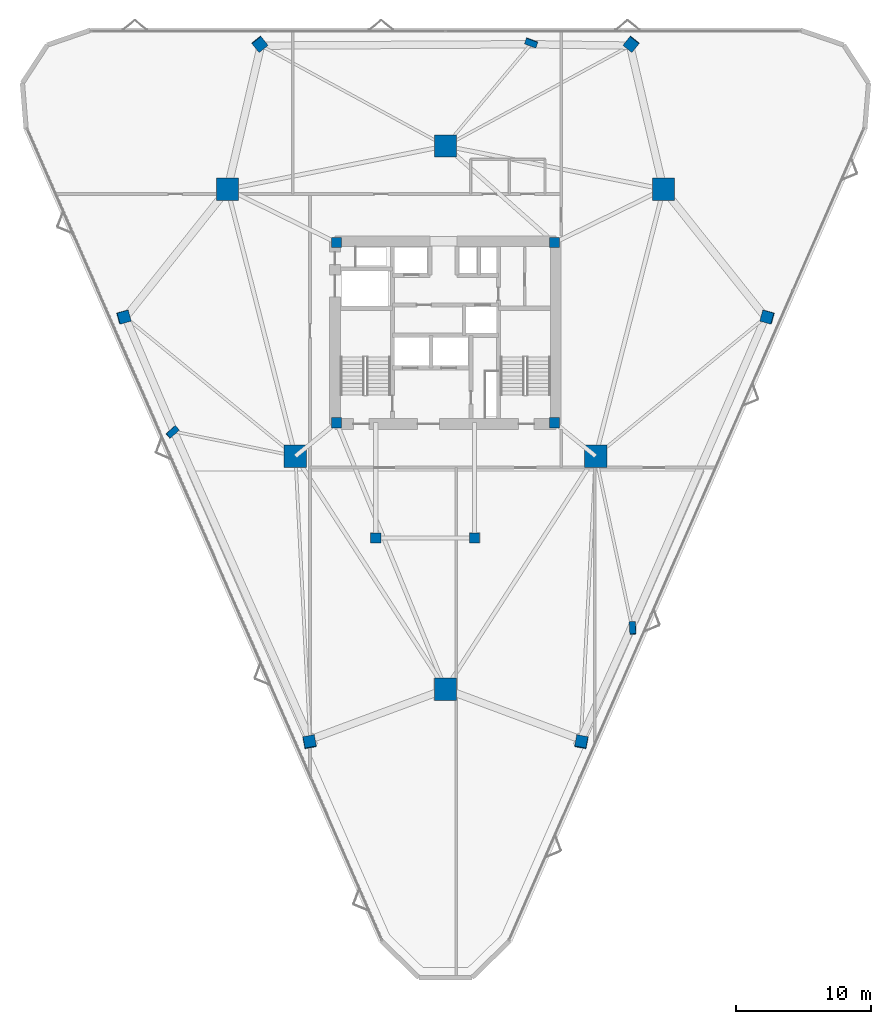
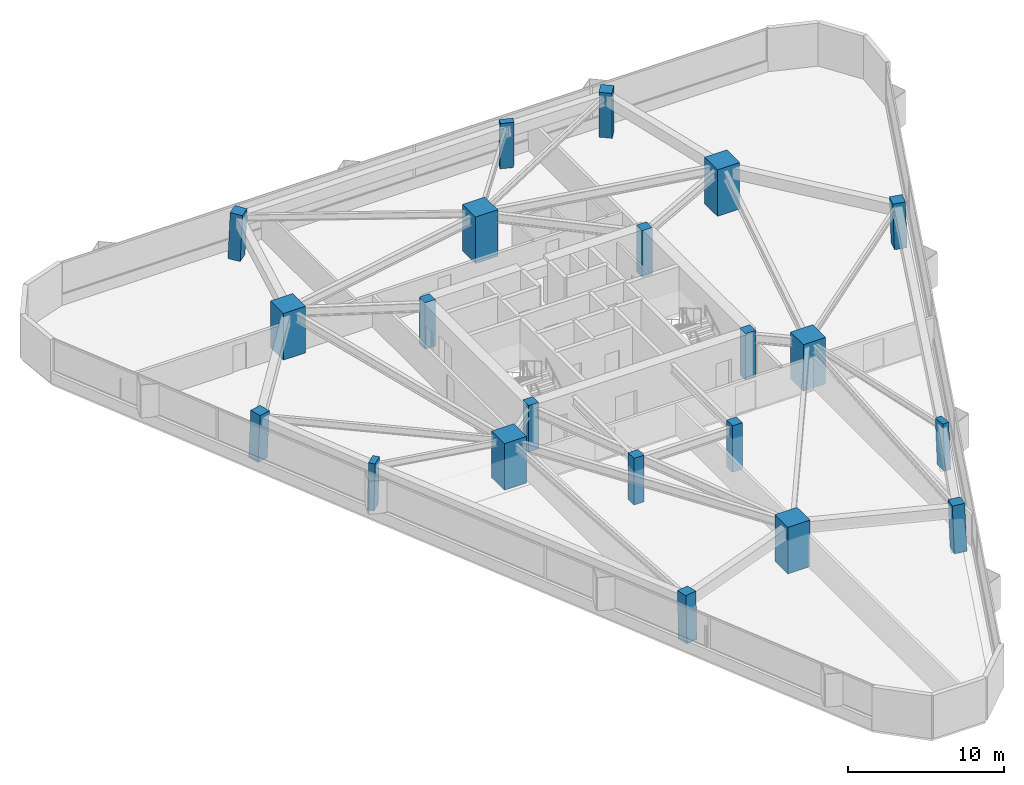
# One storey, part 1 of 18: 21 columns.
"""IFC4 building model written with IfcOpenShell, lengths in metres."""

from ifc_helpers import new_model, si_unit, direction, frame, origin, origin_2d, place, context, subcontext, project, spatial, rectangle, extrude, material, material_profile, profile_set, type_object, element, save


model = new_model("IFC4")

# Units and contexts
model_context = context("Model", 3, precision=1e-05, world=origin(), true_north=direction((0.0, 1.0)))
body_context = subcontext(model_context, "Body", "Model", "MODEL_VIEW")
ifc_project = project(units=[si_unit("LENGTHUNIT", "METRE"), si_unit("AREAUNIT", "SQUARE_METRE"), si_unit("VOLUMEUNIT", "CUBIC_METRE"), si_unit("PLANEANGLEUNIT", "RADIAN"), si_unit("MASSUNIT", "GRAM", prefix="KILO")], contexts=[model_context])

# Site, building, storey
site_placement = place(None, origin())
site = spatial("IfcSite", under=ifc_project, at=site_placement, CompositionType="ELEMENT")
building_placement = place(site_placement, origin())
building = spatial("IfcBuilding", under=site, at=building_placement, Name="Talyreon Biosciences Tower", CompositionType="ELEMENT")
storey_placement = place(building_placement, frame((0.0, 0.0, 89.60009765625)))
storey = spatial("IfcBuildingStorey", under=building, at=storey_placement, Name="L23", CompositionType="ELEMENT", Elevation=89.60009765625)

# Columns
ifc_material_1 = material(Name="Precast concrete C45/55", Category="concrete")
ifc_material_profile_1 = material_profile(ifc_material_1, rectangle(XDim=0.89990234375, YDim=0.449951171875, at=origin_2d()), Name="RC 900x450")
ifc_profile_set_1 = profile_set([ifc_material_profile_1], Name="Precast concrete C45/55")
column_type_1 = type_object("IfcColumnType", Name="FacadePilaster_900x450", PredefinedType="PILASTER", material=ifc_profile_set_1)
column_1_placement = place(storey_placement, frame((79.83740234375, 46.16455078125, 0.0029296875), z_axis=(-0.019612004119, 0.038286915892, 0.999074312234), x_axis=(0.060805378784, -0.997371115859, 0.039415265594)))
element("IfcColumn", 1, at=column_1_placement, inside=storey, type_object=column_type_1, Name="L23 Facade Pilaster PL-SE", PredefinedType="PILASTER", context=body_context, shape_type="SweptSolid", body=[
    extrude(rectangle(XDim=0.89990234375, YDim=0.449951171875, at=origin_2d()), origin(), (0.0, 0.0, 1.0), 3.6474609375),
])
column_2_placement = place(storey_placement, frame((72.337890625, 89.42578125, 0.0029296875), z_axis=(-0.012453496874, -0.033544096418, 0.99935964698), x_axis=(-0.937477612418, 0.348045580658, 0.0)))
element("IfcColumn", 2, at=column_2_placement, inside=storey, type_object=column_type_1, Name="L23 Facade Pilaster PL-N", PredefinedType="PILASTER", context=body_context, shape_type="SweptSolid", body=[
    extrude(rectangle(XDim=0.89990234375, YDim=0.449951171875, at=origin_2d()), origin(), (0.0, 0.0, 1.0), 3.646484375),
])
column_3_placement = place(storey_placement, frame((45.82470703125, 60.660888671875, 0.0029296875), z_axis=(0.032006476949, 0.010512587617, 0.999432374368), x_axis=(0.745006733427, 0.666342375836, -0.030867544659)))
element("IfcColumn", 3, at=column_3_placement, inside=storey, type_object=column_type_1, Name="L23 Facade Pilaster PL-SW", PredefinedType="PILASTER", context=body_context, shape_type="SweptSolid", body=[
    extrude(rectangle(XDim=0.89990234375, YDim=0.449951171875, at=origin_2d()), origin(), (0.0, 0.0, 1.0), 3.64599609375),
])
ifc_material_2 = material(Name="Concrete C60/75", Category="concrete")
ifc_material_profile_2 = material_profile(ifc_material_2, rectangle(XDim=1.64990234375, YDim=1.64990234375, at=origin_2d()), Name="RC 1650x1650")
ifc_profile_set_2 = profile_set([ifc_material_profile_2], Name="Concrete C60/75")
column_type_2 = type_object("IfcColumnType", Name="MegaColumn_1650", PredefinedType="COLUMN", material=ifc_profile_set_2)
for number, where, z_axis, x_axis, name in (
    (4, (66.0, 41.6669921875, 0.0), (0.0, 0.0, 1.0), (1.0, 0.0, 0.0), "L23 Composite Mega-Column MC1"),
    (5, (82.102294921875, 78.5986328125, 0.0), (0.0, 0.0, 1.0), (1.0, 0.0, 0.0), "L23 Composite Mega-Column MC2"),
    (6, (49.897705078125, 78.5986328125, 0.0), (0.0, 0.0, 1.0), (1.0, 0.0, 0.0), "L23 Composite Mega-Column MC3"),
    (7, (77.086181640625, 58.88037109375, 0.0), (0.0, 0.0, 1.0), (1.0, 0.0, 0.0), "L23 Composite Mega-Column MC4"),
    (8, (66.0, 81.788818359375, 0.0), (0.0, 0.0, 1.0), (1.0, 0.0, 0.0), "L23 Composite Mega-Column MC5"),
    (9, (54.913818359375, 58.88037109375, 0.0), (0.0, 0.0, 1.0), (1.0, 0.0, 0.0), "L23 Composite Mega-Column MC6"),
):
    element("IfcColumn", number, at=place(storey_placement, frame(where, z_axis=z_axis, x_axis=x_axis)), inside=storey, type_object=column_type_2, Name=name, PredefinedType="COLUMN", context=body_context, shape_type="SweptSolid", body=[
        extrude(rectangle(XDim=1.64990234375, YDim=1.64990234375, at=origin_2d()), origin(), (0.0, 0.0, 1.0), 3.64990234375),
    ])
ifc_material_3 = material(Name="Concrete C50/60", Category="concrete")
ifc_material_profile_3 = material_profile(ifc_material_3, rectangle(XDim=0.75, YDim=0.75, at=origin_2d()), Name="RC 750x750")
ifc_profile_set_3 = profile_set([ifc_material_profile_3], Name="Concrete C50/60")
column_type_3 = type_object("IfcColumnType", Name="PerimeterColumn_750", PredefinedType="COLUMN", material=ifc_profile_set_3)
for number, where, z_axis, x_axis, name in (
    (10, (57.949951171875, 61.35009765625, 0.0), (0.0, 0.0, 1.0), (1.0, 0.0, 0.0), "L23 Core Column CC1"),
    (11, (74.050048828125, 61.35009765625, 0.0), (0.0, 0.0, 1.0), (1.0, 0.0, 0.0), "L23 Core Column CC2"),
    (12, (74.050048828125, 74.64990234375, 0.0), (0.0, 0.0, 1.0), (1.0, 0.0, 0.0), "L23 Core Column CC3"),
    (13, (57.949951171875, 74.64990234375, 0.0), (0.0, 0.0, 1.0), (1.0, 0.0, 0.0), "L23 Core Column CC4"),
    (14, (60.85009765625, 52.840087890625, 0.0), (0.0, 0.0, 1.0), (1.0, 0.0, 0.0), "L23 Core Column CSW"),
    (15, (68.14990234375, 52.840087890625, 0.0), (0.0, 0.0, 1.0), (1.0, 0.0, 0.0), "L23 Core Column CSE"),
):
    element("IfcColumn", number, at=place(storey_placement, frame(where, z_axis=z_axis, x_axis=x_axis)), inside=storey, type_object=column_type_3, Name=name, PredefinedType="COLUMN", context=body_context, shape_type="SweptSolid", body=[
        extrude(rectangle(XDim=0.75, YDim=0.75, at=origin_2d()), origin(), (0.0, 0.0, 1.0), 3.64990234375),
    ])
ifc_material_profile_4 = material_profile(ifc_material_2, rectangle(XDim=0.85009765625, YDim=0.85009765625, at=origin_2d()), Name="RC 850x850")
ifc_profile_set_4 = profile_set([ifc_material_profile_4], Name="Concrete C60/75")
column_type_4 = type_object("IfcColumnType", Name="PerimeterColumn_850", PredefinedType="COLUMN", material=ifc_profile_set_4)
column_4_placement = place(storey_placement, frame((76.048583984375, 37.748291015625, 0.0029296875), z_axis=(-0.012375141264, 0.054450621561, 0.998439775695), x_axis=(-0.187882157847, -0.980858110451, 0.051163091431)))
element("IfcColumn", 16, at=column_4_placement, inside=storey, type_object=column_type_4, Name="L23 Tapering Perimeter Column PC-SE1", PredefinedType="COLUMN", context=body_context, shape_type="SweptSolid", body=[
    extrude(rectangle(XDim=0.85009765625, YDim=0.85009765625, at=origin_2d()), origin(), (0.0, 0.0, 1.0), 3.649658203125),
])
column_5_placement = place(storey_placement, frame((89.78076171875, 69.156982421875, 0.0029296875), z_axis=(-0.039296334646, -0.005690269923, 0.99921139851), x_axis=(0.963493271018, -0.265249188353, 0.036381104722)))
element("IfcColumn", 17, at=column_5_placement, inside=storey, type_object=column_type_4, Name="L23 Tapering Perimeter Column PC-SE2", PredefinedType="COLUMN", context=body_context, shape_type="SweptSolid", body=[
    extrude(rectangle(XDim=0.85009765625, YDim=0.85009765625, at=origin_2d()), origin(), (0.0, 0.0, 1.0), 3.64697265625),
])
for number, where, z_axis, x_axis, name in (
    (18, (79.73193359375, 89.32568359375, 0.0029296875), (-0.026841136432, -0.033467751162, 0.999079307676), (-0.780107149771, 0.625645934116, 0.0), "L23 Tapering Perimeter Column PC-N1"),
    (19, (52.26806640625, 89.32568359375, 0.0029296875), (0.026841136432, -0.033467751162, 0.999079307676), (-0.780107149771, -0.625645934116, 0.0), "L23 Tapering Perimeter Column PC-N2"),
):
    element("IfcColumn", number, at=place(storey_placement, frame(where, z_axis=z_axis, x_axis=x_axis)), inside=storey, type_object=column_type_4, Name=name, PredefinedType="COLUMN", context=body_context, shape_type="SweptSolid", body=[
        extrude(rectangle(XDim=0.85009765625, YDim=0.85009765625, at=origin_2d()), origin(), (0.0, 0.0, 1.0), 3.6474609375),
    ])
column_6_placement = place(storey_placement, frame((42.21923828125, 69.156982421875, 0.0029296875), z_axis=(0.039296334646, -0.005690269923, 0.99921139851), x_axis=(0.963493271018, 0.265249188353, -0.036381104722)))
element("IfcColumn", 20, at=column_6_placement, inside=storey, type_object=column_type_4, Name="L23 Tapering Perimeter Column PC-SW1", PredefinedType="COLUMN", context=body_context, shape_type="SweptSolid", body=[
    extrude(rectangle(XDim=0.85009765625, YDim=0.85009765625, at=origin_2d()), origin(), (0.0, 0.0, 1.0), 3.64697265625),
])
column_7_placement = place(storey_placement, frame((55.951416015625, 37.748291015625, 0.0029296875), z_axis=(0.012375141264, 0.054450621561, 0.998439775695), x_axis=(-0.187882157847, 0.980858110451, -0.051163091431)))
element("IfcColumn", 21, at=column_7_placement, inside=storey, type_object=column_type_4, Name="L23 Tapering Perimeter Column PC-SW2", PredefinedType="COLUMN", context=body_context, shape_type="SweptSolid", body=[
    extrude(rectangle(XDim=0.85009765625, YDim=0.85009765625, at=origin_2d()), origin(), (0.0, 0.0, 1.0), 3.649658203125),
])

save(model, "model.ifc")
